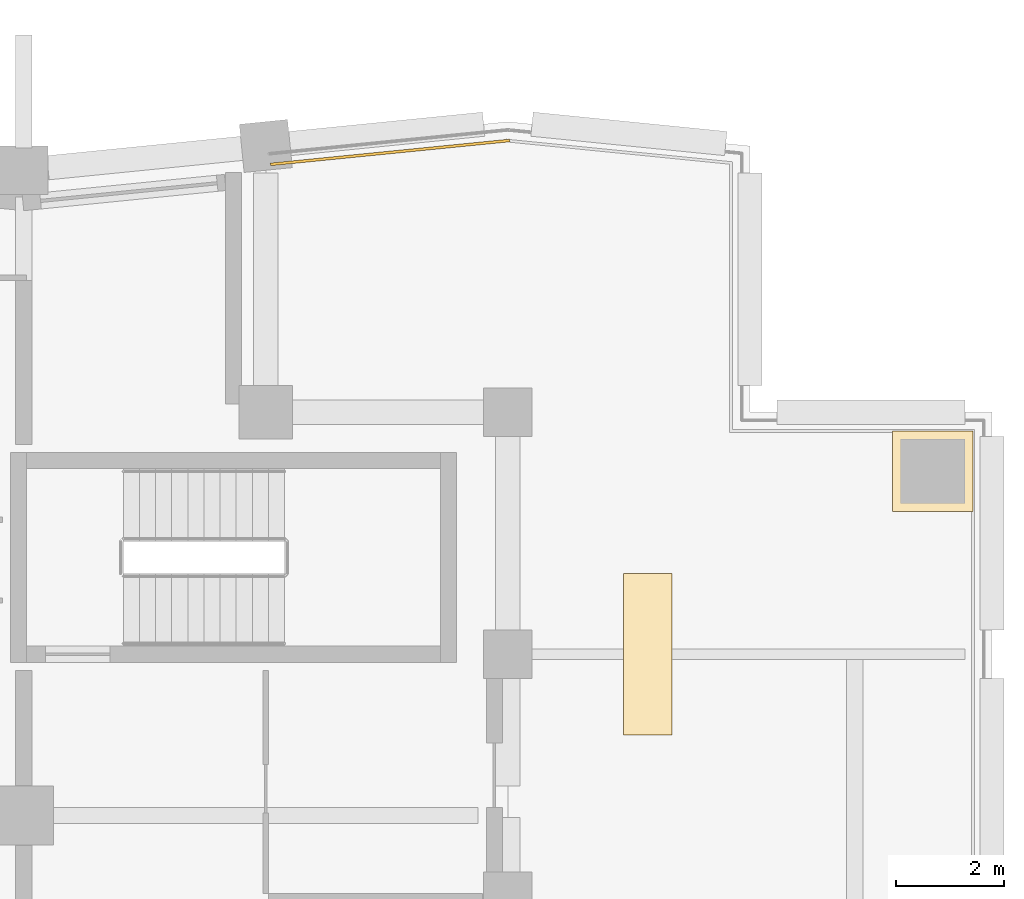
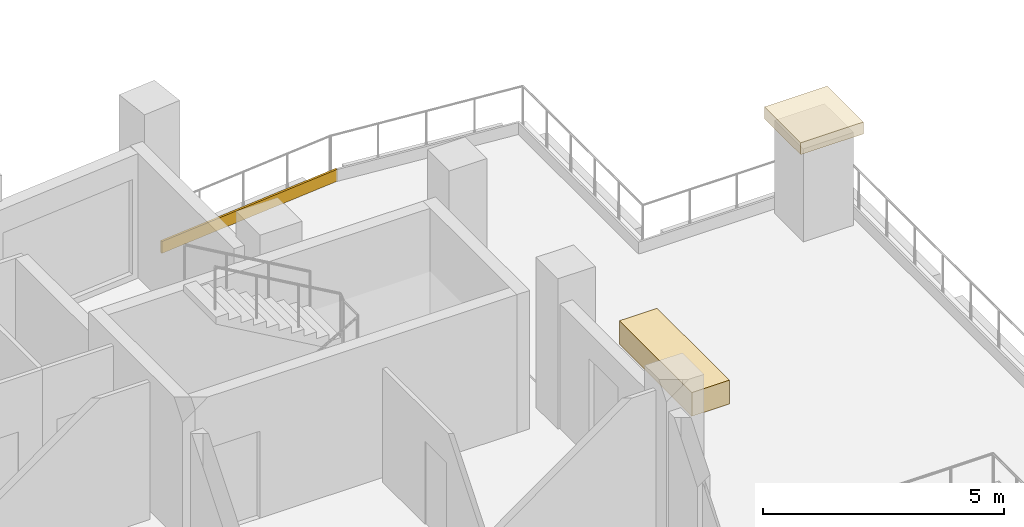
# One storey, part 11 of 11: 3 coverings.
"""IFC4 building model written with IfcOpenShell, lengths in metres."""

from ifc_helpers import new_model, si_unit, direction, frame, origin, origin_2d, place, context, subcontext, project, spatial, polyline, rectangle, outline, extrude, material, layer, layer_set, type_object, element, save


model = new_model("IFC4")

# Units and contexts
model_context = context("Model", 3, precision=1e-05, world=origin(), true_north=direction((0.0, 1.0)))
body_context = subcontext(model_context, "Body", "Model", "MODEL_VIEW")
ifc_project = project(units=[si_unit("LENGTHUNIT", "METRE"), si_unit("AREAUNIT", "SQUARE_METRE"), si_unit("VOLUMEUNIT", "CUBIC_METRE"), si_unit("PLANEANGLEUNIT", "RADIAN"), si_unit("MASSUNIT", "GRAM", prefix="KILO")], contexts=[model_context])

# Site, building, storey
site_placement = place(None, origin())
site = spatial("IfcSite", under=ifc_project, at=site_placement, CompositionType="ELEMENT")
building_placement = place(site_placement, origin())
building = spatial("IfcBuilding", under=site, at=building_placement, Name="Brondeck Convention Tower", CompositionType="ELEMENT")
storey_placement = place(building_placement, frame((0.0, 0.0, 252.39990234375)))
storey = spatial("IfcBuildingStorey", under=building, at=storey_placement, Name="L62", CompositionType="ELEMENT", Elevation=252.39990234375)

# Coverings
ifc_material_1 = material(Name="Aluminium, bronze anodised planter with soil", Category="aluminium")
ifc_layer_1 = layer(ifc_material_1, 0.199951171875)
ifc_layer_set_1 = layer_set([ifc_layer_1], Name="Roof planter")
covering_type_1 = type_object("IfcCoveringType", Name="Roof planter", PredefinedType="USERDEFINED", material=ifc_layer_set_1)
covering_1_placement = place(storey_placement, frame((47.60009765625, 54.0, 0.050048828125), z_axis=(0.0, 0.0, 1.0), x_axis=(0.0, 1.0, 0.0)))
element("IfcCovering", 1, at=covering_1_placement, inside=storey, type_object=covering_type_1, Name="ENV-S3-1-PL02", ObjectType="PLANTER", PredefinedType="USERDEFINED", context=body_context, shape_type="SweptSolid", body=[
    extrude(rectangle(XDim=3.0, YDim=0.89990234375, at=origin_2d()), origin(), (0.0, 0.0, 1.0), 0.60009765625),
])
ifc_material_2 = material(Name="Aluminium, bronze anodised", Category="aluminium")
ifc_layer_2 = layer(ifc_material_2, 0.050048828125)
ifc_layer_set_2 = layer_set([ifc_layer_2], Name="Snow retention bar")
covering_type_2 = type_object("IfcCoveringType", Name="Snow retention bar", PredefinedType="MOLDING", material=ifc_layer_set_2)
covering_2_placement = place(storey_placement, frame((0.0, 0.0, 0.050048828125)))
element("IfcCovering", 2, at=covering_2_placement, inside=storey, type_object=covering_type_2, Name="ENV-S3-1b-SR1", PredefinedType="MOLDING", context=body_context, shape_type="SweptSolid", body=[
    extrude(outline(polyline([(45.0322265625, 63.57666015625), (40.58203125, 63.131591796875), (40.5869140625, 63.081787109375), (45.037353515625, 63.52685546875), (45.0322265625, 63.57666015625)])), origin(), (0.0, 0.0, 1.0), 0.300048828125),
])
ifc_material_3 = material(Name="Precast concrete C50/60 bronze finish", Category="concrete")
ifc_layer_3 = layer(ifc_material_3, 1.5)
ifc_layer_set_3 = layer_set([ifc_layer_3], Name="Terrace finial cap, precast")
covering_type_3 = type_object("IfcCoveringType", Name="Terrace finial cap, precast", PredefinedType="MOLDING", material=ifc_layer_set_3)
covering_3_placement = place(storey_placement, frame((0.0, 0.0, 2.400146484375)))
element("IfcCovering", 3, at=covering_3_placement, inside=storey, type_object=covering_type_3, Name="ENV-FT-S3-1-2-C", PredefinedType="MOLDING", context=body_context, shape_type="SweptSolid", body=[
    extrude(outline(polyline([(53.64990234375, 56.64990234375), (53.64990234375, 58.14990234375), (52.14990234375, 58.14990234375), (52.14990234375, 56.64990234375), (53.64990234375, 56.64990234375)])), origin(), (0.0, 0.0, 1.0), 0.300048828125),
])

save(model, "model.ifc")
